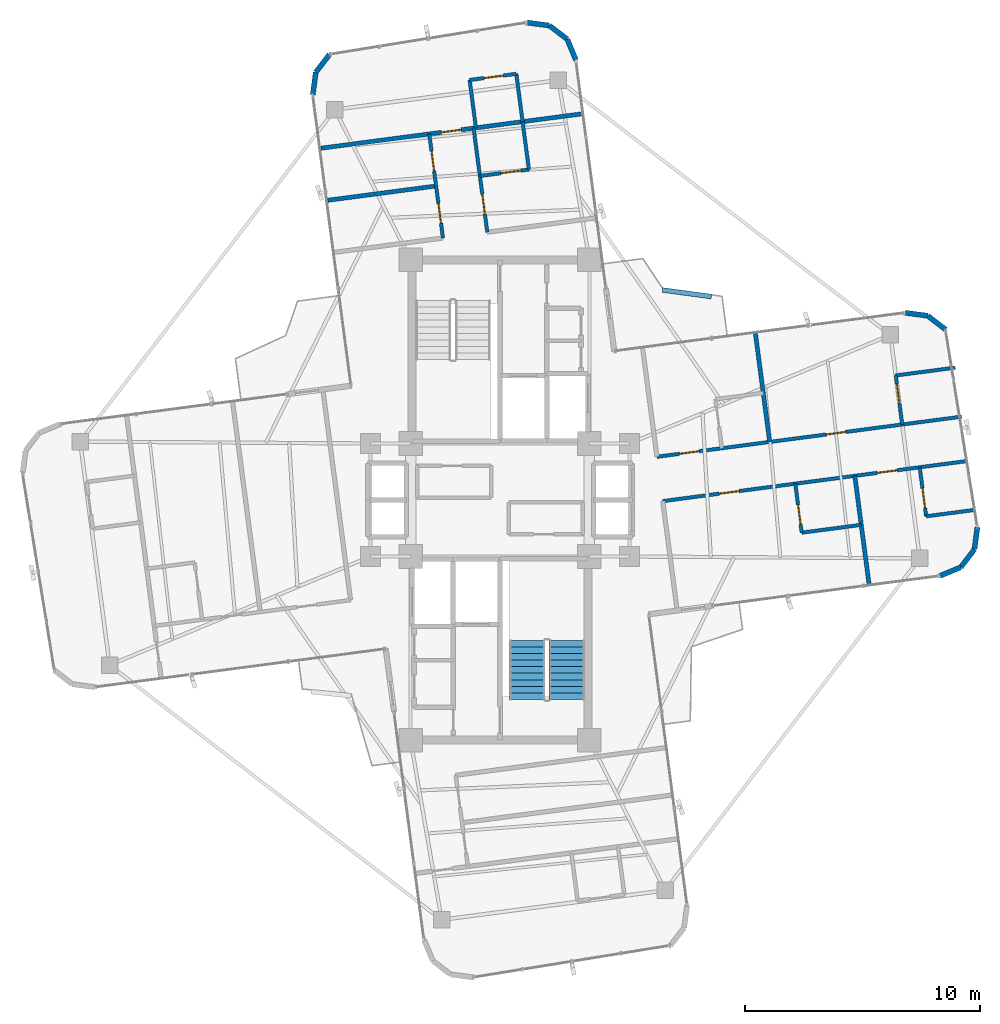
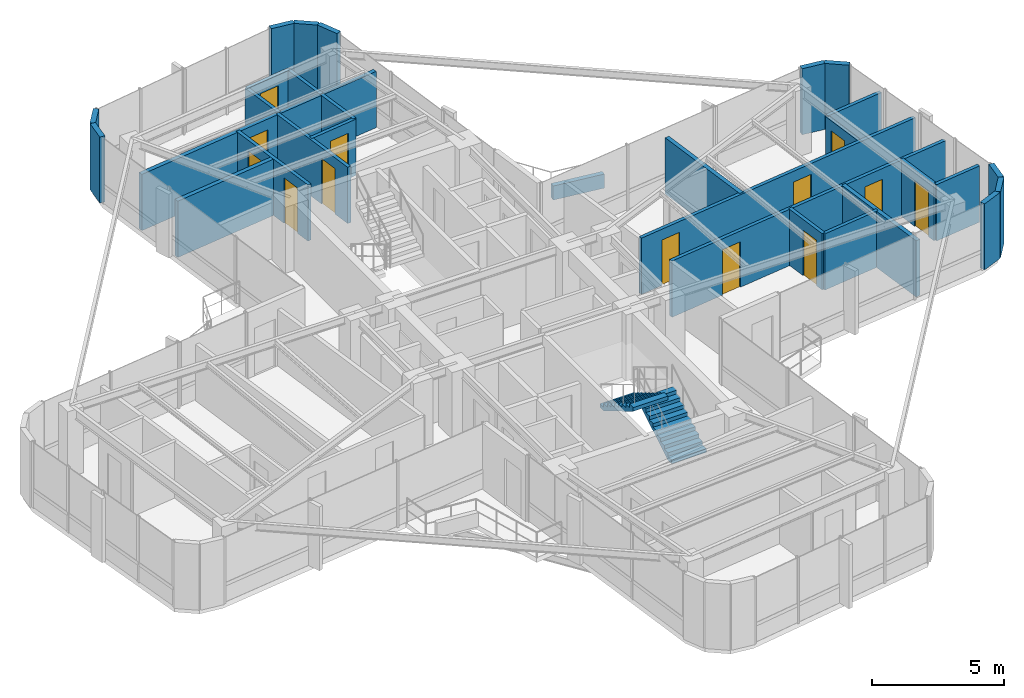
# One storey, part 21 of 23: 30 walls, 13 doors, 2 stair flights, 13 openings, 1 element without a shape of its own.
"""IFC4 building model written with IfcOpenShell, lengths in metres."""

from ifc_helpers import new_model, si_unit, direction, frame, frame_2d, origin, origin_2d, place, context, subcontext, project, spatial, polyline, rectangle, outline, extrude, source, transform, mapped, material, layer, layer_set, type_object, element, fill, aggregate, save


model = new_model("IFC4")

# Units and contexts
model_context = context("Model", 3, precision=1e-05, world=origin(), true_north=direction((0.0, 1.0)))
body_context = subcontext(model_context, "Body", "Model", "MODEL_VIEW")
ifc_project = project(units=[si_unit("LENGTHUNIT", "METRE"), si_unit("AREAUNIT", "SQUARE_METRE"), si_unit("VOLUMEUNIT", "CUBIC_METRE"), si_unit("PLANEANGLEUNIT", "RADIAN"), si_unit("MASSUNIT", "GRAM", prefix="KILO")], contexts=[model_context])

# Site, building, storey
site_placement = place(None, origin())
site = spatial("IfcSite", under=ifc_project, at=site_placement, CompositionType="ELEMENT")
building_placement = place(site_placement, origin())
building = spatial("IfcBuilding", under=site, at=building_placement, Name="Sahyath Konkavel Grand Hotel", CompositionType="ELEMENT")
storey_placement = place(building_placement, frame((0.0, 0.0, 226.60009765625)))
storey = spatial("IfcBuildingStorey", under=building, at=storey_placement, Name="L63", CompositionType="ELEMENT", Elevation=226.60009765625)

# Walls
ifc_material_1 = material(Name="Warm Buff Sandstone Insulated Concrete C40/50", Category="masonry")
ifc_layer_1 = layer(ifc_material_1, 0.219970703125)
ifc_layer_set_1 = layer_set([ifc_layer_1], Name="Warm Buff Sandstone Insulated Concrete C40/50")
wall_type_1 = type_object("IfcWallType", Name="WLL-BALC-THRESH", PredefinedType="STANDARD", material=ifc_layer_set_1)
wall_1_placement = place(storey_placement, frame((18.69091796875, -3.225830078125, 0.0), z_axis=(0.0, 0.0, 1.0), x_axis=(0.923979554509, 0.382441868588, 0.0)))
element("IfcWall", 1, at=wall_1_placement, inside=storey, type_object=wall_type_1, Name="L63 Rounded Corner Sandstone Pier 1", PredefinedType="STANDARD", context=body_context, shape_type="SweptSolid", body=[
    extrude(rectangle(XDim=0.95751953125, YDim=0.219970703125, at=frame_2d((0.478759765625, 0.0))), origin(), (0.0, 0.0, 1.0), 3.0498046875),
])
wall_2_placement = place(storey_placement, frame((19.57568359375, -2.859619140625, 0.0), z_axis=(0.0, 0.0, 1.0), x_axis=(0.60865090536, 0.79343813584, 0.0)))
element("IfcWall", 2, at=wall_2_placement, inside=storey, type_object=wall_type_1, Name="L63 Rounded Corner Sandstone Pier 2", PredefinedType="STANDARD", context=body_context, shape_type="SweptSolid", body=[
    extrude(rectangle(XDim=0.957763671875, YDim=0.219970703125, at=frame_2d((0.47900390625, 0.0))), origin(), (0.0, 0.0, 1.0), 3.0498046875),
])
for number, where, z_axis, x_axis, name in (
    (3, (20.15869140625, -2.099609375, 0.0), (0.0, 0.0, 1.0), (0.13056005306, 0.991440402921, 0.0), "L63 Rounded Corner Sandstone Pier 3"),
    (4, (18.92822265625, 7.24560546875, 0.0), (0.0, 0.0, 1.0), (-0.793249178392, 0.608897151398, 0.0), "L63 Rounded Corner Sandstone Pier 5"),
):
    element("IfcWall", number, at=place(storey_placement, frame(where, z_axis=z_axis, x_axis=x_axis)), inside=storey, type_object=wall_type_1, Name=name, PredefinedType="STANDARD", context=body_context, shape_type="SweptSolid", body=[
        extrude(rectangle(XDim=0.95751953125, YDim=0.219970703125, at=frame_2d((0.478759765625, 0.0))), origin(), (0.0, 0.0, 1.0), 3.0498046875),
    ])
wall_3_placement = place(storey_placement, frame((18.168701171875, 7.82861328125, 0.0), z_axis=(0.0, 0.0, 1.0), x_axis=(-0.991444747987, 0.130527053476, 0.0)))
element("IfcWall", 5, at=wall_3_placement, inside=storey, type_object=wall_type_1, Name="L63 Rounded Corner Sandstone Pier 6", PredefinedType="STANDARD", context=body_context, shape_type="SweptSolid", body=[
    extrude(rectangle(XDim=0.957763671875, YDim=0.219970703125, at=frame_2d((0.47900390625, 0.0))), origin(), (0.0, 0.0, 1.0), 3.0498046875),
])
wall_4_placement = place(storey_placement, frame((3.225830078125, 18.69091796875, 0.0), z_axis=(0.0, 0.0, 1.0), x_axis=(-0.382441868588, 0.923979554509, 0.0)))
element("IfcWall", 6, at=wall_4_placement, inside=storey, type_object=wall_type_1, Name="L63 Rounded Corner Sandstone Pier 9", PredefinedType="STANDARD", context=body_context, shape_type="SweptSolid", body=[
    extrude(rectangle(XDim=0.95751953125, YDim=0.219970703125, at=frame_2d((0.478759765625, 0.0))), origin(), (0.0, 0.0, 1.0), 3.0498046875),
])
wall_5_placement = place(storey_placement, frame((2.859619140625, 19.57568359375, 0.0), z_axis=(0.0, 0.0, 1.0), x_axis=(-0.79343813584, 0.60865090536, 0.0)))
element("IfcWall", 7, at=wall_5_placement, inside=storey, type_object=wall_type_1, Name="L63 Rounded Corner Sandstone Pier 10", PredefinedType="STANDARD", context=body_context, shape_type="SweptSolid", body=[
    extrude(rectangle(XDim=0.957763671875, YDim=0.219970703125, at=frame_2d((0.47900390625, 0.0))), origin(), (0.0, 0.0, 1.0), 3.0498046875),
])
for number, where, z_axis, x_axis, name in (
    (8, (2.099609375, 20.15869140625, 0.0), (0.0, 0.0, 1.0), (-0.991440402921, 0.13056005306, 0.0), "L63 Rounded Corner Sandstone Pier 11"),
    (9, (-7.24560546875, 18.92822265625, 0.0), (0.0, 0.0, 1.0), (-0.608897151398, -0.793249178392, 0.0), "L63 Rounded Corner Sandstone Pier 13"),
):
    element("IfcWall", number, at=place(storey_placement, frame(where, z_axis=z_axis, x_axis=x_axis)), inside=storey, type_object=wall_type_1, Name=name, PredefinedType="STANDARD", context=body_context, shape_type="SweptSolid", body=[
        extrude(rectangle(XDim=0.95751953125, YDim=0.219970703125, at=frame_2d((0.478759765625, 0.0))), origin(), (0.0, 0.0, 1.0), 3.0498046875),
    ])
wall_6_placement = place(storey_placement, frame((-7.82861328125, 18.168701171875, 0.0), z_axis=(0.0, 0.0, 1.0), x_axis=(-0.130527053476, -0.991444747987, 0.0)))
element("IfcWall", 10, at=wall_6_placement, inside=storey, type_object=wall_type_1, Name="L63 Rounded Corner Sandstone Pier 14", PredefinedType="STANDARD", context=body_context, shape_type="SweptSolid", body=[
    extrude(rectangle(XDim=0.957763671875, YDim=0.219970703125, at=frame_2d((0.47900390625, 0.0))), origin(), (0.0, 0.0, 1.0), 3.0498046875),
])
ifc_material_2 = material(Name="Twin-Stud Acoustic Gypsum Plasterboard Partition")
ifc_layer_2 = layer(ifc_material_2, 0.179931640625)
ifc_layer_set_2 = layer_set([ifc_layer_2], Name="Twin-Stud Acoustic Gypsum Plasterboard Partition")
wall_type_2 = type_object("IfcWallType", Name="WLL-DEMISE-180", PredefinedType="PARTITIONING", material=ifc_layer_set_2)
wall_7_placement = place(storey_placement, frame((11.4580078125, 2.466796875, 0.0), z_axis=(0.0, 0.0, 1.0), x_axis=(-0.130498087646, 0.991448561006, 0.0)))
element("IfcWall", 11, at=wall_7_placement, inside=storey, type_object=wall_type_2, Name="L63 Partition E-E1L-DEM", PredefinedType="PARTITIONING", context=body_context, shape_type="SweptSolid", body=[
    extrude(rectangle(XDim=4.6376953125, YDim=0.179931640625, at=frame_2d((2.31884765625, 0.0))), origin(), (0.0, 0.0, 1.0), 2.599853515625),
])
wall_8_placement = place(storey_placement, frame((15.072998046875, 1.026123046875, 0.0), z_axis=(0.0, 0.0, 1.0), x_axis=(0.130549832066, -0.991441748842, 0.0)))
element("IfcWall", 12, at=wall_8_placement, inside=storey, type_object=wall_type_2, Name="L63 Partition E-E1R-DEM", PredefinedType="PARTITIONING", context=body_context, shape_type="SweptSolid", body=[
    extrude(rectangle(XDim=4.637939453125, YDim=0.179931640625, at=frame_2d((2.31884765625, 0.0))), origin(), (0.0, 0.0, 1.0), 2.599853515625),
])
wall_9_placement = place(storey_placement, frame((-2.71435546875, 13.33984375, 0.0), z_axis=(0.0, 0.0, 1.0), x_axis=(-0.991442645947, -0.130543018951, 0.0)))
element("IfcWall", 13, at=wall_9_placement, inside=storey, type_object=wall_type_2, Name="L63 Partition N-N4L1-DEM", PredefinedType="PARTITIONING", context=body_context, shape_type="SweptSolid", body=[
    extrude(rectangle(XDim=4.63818359375, YDim=0.179931640625, at=frame_2d((2.319091796875, 0.0))), origin(), (0.0, 0.0, 1.0), 2.599853515625),
])

# Wall, opening, door
wall_10_placement = place(storey_placement, frame((3.4765625, 16.404052734375, 0.0), z_axis=(0.0, 0.0, 1.0), x_axis=(-0.991444998773, -0.130525148566, 0.0)))
wall_10 = element("IfcWall", 14, at=wall_10_placement, inside=storey, type_object=wall_type_2, Name="L63 Partition N-NTIP-END", PredefinedType="PARTITIONING", context=body_context, shape_type="SweptSolid", body=[
    extrude(rectangle(XDim=11.176025390625, YDim=0.179931640625, at=frame_2d((5.587890625, 0.0))), origin(), (0.0, 0.0, 1.0), 2.599853515625),
])
opening_1_placement = place(wall_10_placement, frame((5.1630859375, 0.0, 0.0)))
opening_1 = element("IfcOpeningElement", 15, at=opening_1_placement, cuts=wall_10, Name="Opening D-F06D", PredefinedType="OPENING", context=body_context, shape_type="SweptSolid", body=[
    extrude(rectangle(XDim=0.85009765625, YDim=2.10009765625, at=frame_2d((0.425048828125, 1.050048828125))), frame((0.0, 0.10009765625, 0.0), z_axis=(0.0, -1.0, 0.0), x_axis=(1.0, 0.0, 0.0)), (0.0, 0.0, 1.0), 0.199951171875),
])
ifc_material_3 = material(Name="Fire-Rated Shaft Access Door")
door_type_1 = type_object("IfcDoorType", Name="DR-FD60-850", OperationType="NOTDEFINED", PredefinedType="DOOR", material=ifc_material_3)
shared_shape = source(origin(), body_context, "Body", "SweptSolid", [
    extrude(rectangle(XDim=0.85009765625, YDim=0.050048828125, at=origin_2d()), origin(), (0.0, 0.0, 1.0), 2.10009765625),
])
door_1_placement = place(opening_1_placement, frame((0.425048828125, 0.0, 0.0)))
door_1 = element("IfcDoor", 16, at=door_1_placement, inside=storey, type_object=door_type_1, Name="L63 Door N-NTIP-ED", OperationType="SINGLE_SWING_RIGHT", OverallHeight=2.10009765625, OverallWidth=0.85009765625, PredefinedType="DOOR", context=body_context, shape_type="MappedRepresentation", body=[
    mapped(shared_shape, transform((0.0, 0.0, 0.0), scale=1.0)),
])
fill(opening_1, door_1)

# Wall, openings, doors
ifc_material_4 = material(Name="Fire-Rated Gypsum Plasterboard Partition")
ifc_layer_3 = layer(ifc_material_4, 0.14990234375)
ifc_layer_set_3 = layer_set([ifc_layer_3], Name="Fire-Rated Gypsum Plasterboard Partition")
wall_type_3 = type_object("IfcWallType", Name="WLL-PART-150", PredefinedType="PARTITIONING", material=ifc_layer_set_3)
wall_11_placement = place(storey_placement, frame((6.66748046875, 1.8359375, 0.0), z_axis=(0.0, 0.0, 1.0), x_axis=(0.991445639992, 0.130520277895, 0.0)))
wall_11 = element("IfcWall", 17, at=wall_11_placement, inside=storey, type_object=wall_type_3, Name="L63 Partition E-CL", PredefinedType="PARTITIONING", context=body_context, shape_type="SweptSolid", body=[
    extrude(rectangle(XDim=13.06005859375, YDim=0.14990234375, at=frame_2d((6.530029296875, 0.0))), origin(), (0.0, 0.0, 1.0), 2.599853515625),
])
opening_2_placement = place(wall_11_placement, frame((0.966064453125, 0.0, 0.0)))
opening_2 = element("IfcOpeningElement", 18, at=opening_2_placement, cuts=wall_11, Name="Opening D-F06D", PredefinedType="OPENING", context=body_context, shape_type="SweptSolid", body=[
    extrude(rectangle(XDim=0.85009765625, YDim=2.10009765625, at=frame_2d((0.425048828125, 1.050048828125))), frame((0.0, 0.0849609375, 0.0), z_axis=(0.0, -1.0, 0.0), x_axis=(1.0, 0.0, 0.0)), (0.0, 0.0, 1.0), 0.169921875),
])
opening_3_placement = place(wall_11_placement, frame((7.24609375, 0.0, 0.0)))
opening_3 = element("IfcOpeningElement", 19, at=opening_3_placement, cuts=wall_11, Name="Opening D-F06D", PredefinedType="OPENING", context=body_context, shape_type="SweptSolid", body=[
    extrude(rectangle(XDim=0.85009765625, YDim=2.10009765625, at=frame_2d((0.425048828125, 1.050048828125))), frame((0.0, 0.0849609375, 0.0), z_axis=(0.0, -1.0, 0.0), x_axis=(1.0, 0.0, 0.0)), (0.0, 0.0, 1.0), 0.169921875),
])
door_2_placement = place(opening_2_placement, frame((0.425048828125, 0.0, 0.0)))
door_2 = element("IfcDoor", 20, at=door_2_placement, inside=storey, type_object=door_type_1, Name="L63 Door E-E1L-ED", OperationType="SINGLE_SWING_RIGHT", OverallHeight=2.10009765625, OverallWidth=0.85009765625, PredefinedType="DOOR", context=body_context, shape_type="MappedRepresentation", body=[
    mapped(shared_shape, transform((0.0, 0.0, 0.0), scale=1.0)),
])
fill(opening_2, door_2)
door_3_placement = place(opening_3_placement, frame((0.425048828125, 0.0, 0.0)))
door_3 = element("IfcDoor", 21, at=door_3_placement, inside=storey, type_object=door_type_1, Name="L63 Door E-E2L-ED", OperationType="SINGLE_SWING_RIGHT", OverallHeight=2.10009765625, OverallWidth=0.85009765625, PredefinedType="DOOR", context=body_context, shape_type="MappedRepresentation", body=[
    mapped(shared_shape, transform((0.0, 0.0, 0.0), scale=1.0)),
])
fill(opening_3, door_3)

wall_12_placement = place(storey_placement, frame((6.915283203125, -0.0478515625, 0.0), z_axis=(0.0, 0.0, 1.0), x_axis=(0.991443539316, 0.130536233856, 0.0)))
wall_12 = element("IfcWall", 22, at=wall_12_placement, inside=storey, type_object=wall_type_3, Name="L63 Partition E-CR", PredefinedType="PARTITIONING", context=body_context, shape_type="SweptSolid", body=[
    extrude(rectangle(XDim=13.060302734375, YDim=0.14990234375, at=frame_2d((6.5302734375, 0.0))), origin(), (0.0, 0.0, 1.0), 2.599853515625),
])
opening_4_placement = place(wall_12_placement, frame((2.4140625, 0.0, 0.0)))
opening_4 = element("IfcOpeningElement", 23, at=opening_4_placement, cuts=wall_12, Name="Opening D-F06D", PredefinedType="OPENING", context=body_context, shape_type="SweptSolid", body=[
    extrude(rectangle(XDim=0.85009765625, YDim=2.10009765625, at=frame_2d((0.425048828125, 1.050048828125))), frame((0.0, 0.0849609375, 0.0), z_axis=(0.0, -1.0, 0.0), x_axis=(1.0, 0.0, 0.0)), (0.0, 0.0, 1.0), 0.169921875),
])
opening_5_placement = place(wall_12_placement, frame((9.194091796875, 0.0, 0.0)))
opening_5 = element("IfcOpeningElement", 24, at=opening_5_placement, cuts=wall_12, Name="Opening D-F06D", PredefinedType="OPENING", context=body_context, shape_type="SweptSolid", body=[
    extrude(rectangle(XDim=0.85009765625, YDim=2.10009765625, at=frame_2d((0.425048828125, 1.050048828125))), frame((0.0, 0.0849609375, 0.0), z_axis=(0.0, -1.0, 0.0), x_axis=(1.0, 0.0, 0.0)), (0.0, 0.0, 1.0), 0.169921875),
])
door_4_placement = place(opening_4_placement, frame((0.425048828125, 0.0, 0.0)))
door_4 = element("IfcDoor", 25, at=door_4_placement, inside=storey, type_object=door_type_1, Name="L63 Door E-E1R-ED", OperationType="SINGLE_SWING_RIGHT", OverallHeight=2.10009765625, OverallWidth=0.85009765625, PredefinedType="DOOR", context=body_context, shape_type="MappedRepresentation", body=[
    mapped(shared_shape, transform((0.0, 0.0, 0.0), scale=1.0)),
])
fill(opening_4, door_4)
door_5_placement = place(opening_5_placement, frame((0.425048828125, 0.0, 0.0)))
door_5 = element("IfcDoor", 26, at=door_5_placement, inside=storey, type_object=door_type_1, Name="L63 Door E-E2R-ED", OperationType="SINGLE_SWING_RIGHT", OverallHeight=2.10009765625, OverallWidth=0.85009765625, PredefinedType="DOOR", context=body_context, shape_type="MappedRepresentation", body=[
    mapped(shared_shape, transform((0.0, 0.0, 0.0), scale=1.0)),
])
fill(opening_5, door_5)

# Wall, opening, door
wall_13_placement = place(storey_placement, frame((17.08740234375, 3.207763671875, 0.0), z_axis=(0.0, 0.0, 1.0), x_axis=(-0.13044248305, 0.9914558783, 0.0)))
wall_13 = element("IfcWall", 27, at=wall_13_placement, inside=storey, type_object=wall_type_3, Name="L63 Partition E-E2L-BS", PredefinedType="PARTITIONING", context=body_context, shape_type="SweptSolid", body=[
    extrude(rectangle(XDim=2.099853515625, YDim=0.14990234375, at=frame_2d((1.0498046875, 0.0))), origin(), (0.0, 0.0, 1.0), 2.56982421875),
])
opening_6_placement = place(wall_13_placement, frame((0.89990234375, 0.0, 0.0)))
opening_6 = element("IfcOpeningElement", 28, at=opening_6_placement, cuts=wall_13, Name="Opening D-BT85", PredefinedType="OPENING", context=body_context, shape_type="SweptSolid", body=[
    extrude(rectangle(XDim=0.85009765625, YDim=2.10009765625, at=frame_2d((0.425048828125, 1.050048828125))), frame((0.0, 0.0849609375, 0.0), z_axis=(0.0, -1.0, 0.0), x_axis=(1.0, 0.0, 0.0)), (0.0, 0.0, 1.0), 0.169921875),
])
ifc_material_5 = material(Name="Moisture-Resistant Teak Bathroom Door")
door_type_2 = type_object("IfcDoorType", Name="DR-BATH-850", OperationType="NOTDEFINED", PredefinedType="DOOR", material=ifc_material_5)
door_6_placement = place(opening_6_placement, frame((0.425048828125, 0.0, 0.0)))
door_6 = element("IfcDoor", 29, at=door_6_placement, inside=storey, type_object=door_type_2, Name="L63 Door E-E2L-BD", OperationType="SINGLE_SWING_LEFT", OverallHeight=2.10009765625, OverallWidth=0.85009765625, PredefinedType="DOOR", context=body_context, shape_type="MappedRepresentation", body=[
    mapped(shared_shape, transform((0.0, 0.0, 0.0), scale=1.0)),
])
fill(opening_6, door_6)

# Wall
wall_14_placement = place(storey_placement, frame((16.8134765625, 5.289794921875, 0.0), z_axis=(0.0, 0.0, 1.0), x_axis=(0.99143571012, 0.130595684076, 0.0)))
element("IfcWall", 30, at=wall_14_placement, inside=storey, type_object=wall_type_3, Name="L63 Partition E-E2L-BF", PredefinedType="PARTITIONING", context=body_context, shape_type="SweptSolid", body=[
    extrude(rectangle(XDim=2.5498046875, YDim=0.14990234375, at=frame_2d((1.27490234375, 0.0))), origin(), (0.0, 0.0, 1.0), 2.599853515625),
])

# Wall, opening, door
wall_15_placement = place(storey_placement, frame((12.544921875, 0.693359375, 0.0), z_axis=(0.0, 0.0, 1.0), x_axis=(0.13044248305, -0.9914558783, 0.0)))
wall_15 = element("IfcWall", 31, at=wall_15_placement, inside=storey, type_object=wall_type_3, Name="L63 Partition E-E1R-BS", PredefinedType="PARTITIONING", context=body_context, shape_type="SweptSolid", body=[
    extrude(rectangle(XDim=2.099853515625, YDim=0.14990234375, at=frame_2d((1.0498046875, 0.0))), origin(), (0.0, 0.0, 1.0), 2.599853515625),
])
opening_7_placement = place(wall_15_placement, frame((0.89990234375, 0.0, 0.0)))
opening_7 = element("IfcOpeningElement", 32, at=opening_7_placement, cuts=wall_15, Name="Opening D-BT85", PredefinedType="OPENING", context=body_context, shape_type="SweptSolid", body=[
    extrude(rectangle(XDim=0.85009765625, YDim=2.10009765625, at=frame_2d((0.425048828125, 1.050048828125))), frame((0.0, 0.0849609375, 0.0), z_axis=(0.0, -1.0, 0.0), x_axis=(1.0, 0.0, 0.0)), (0.0, 0.0, 1.0), 0.169921875),
])
door_7_placement = place(opening_7_placement, frame((0.425048828125, 0.0, 0.0)))
door_7 = element("IfcDoor", 33, at=door_7_placement, inside=storey, type_object=door_type_2, Name="L63 Door E-E1R-BD", OperationType="SINGLE_SWING_LEFT", OverallHeight=2.10009765625, OverallWidth=0.85009765625, PredefinedType="DOOR", context=body_context, shape_type="MappedRepresentation", body=[
    mapped(shared_shape, transform((0.0, 0.0, 0.0), scale=1.0)),
])
fill(opening_7, door_7)

# Wall
wall_16_placement = place(storey_placement, frame((12.81884765625, -1.388671875, 0.0), z_axis=(0.0, 0.0, 1.0), x_axis=(0.99144973294, 0.130489183661, 0.0)))
element("IfcWall", 34, at=wall_16_placement, inside=storey, type_object=wall_type_3, Name="L63 Partition E-E1R-BF", PredefinedType="PARTITIONING", context=body_context, shape_type="SweptSolid", body=[
    extrude(rectangle(XDim=2.550048828125, YDim=0.14990234375, at=frame_2d((1.27490234375, 0.0))), origin(), (0.0, 0.0, 1.0), 2.599853515625),
])

# Wall, opening, door
wall_17_placement = place(storey_placement, frame((17.831298828125, 1.389404296875, 0.0), z_axis=(0.0, 0.0, 1.0), x_axis=(0.13044248305, -0.9914558783, 0.0)))
wall_17 = element("IfcWall", 35, at=wall_17_placement, inside=storey, type_object=wall_type_3, Name="L63 Partition E-E2R-BS", PredefinedType="PARTITIONING", context=body_context, shape_type="SweptSolid", body=[
    extrude(rectangle(XDim=2.099853515625, YDim=0.14990234375, at=frame_2d((1.0498046875, 0.0))), origin(), (0.0, 0.0, 1.0), 2.599853515625),
])
opening_8_placement = place(wall_17_placement, frame((0.89990234375, 0.0, 0.0)))
opening_8 = element("IfcOpeningElement", 36, at=opening_8_placement, cuts=wall_17, Name="Opening D-BT85", PredefinedType="OPENING", context=body_context, shape_type="SweptSolid", body=[
    extrude(rectangle(XDim=0.85009765625, YDim=2.10009765625, at=frame_2d((0.425048828125, 1.050048828125))), frame((0.0, 0.0849609375, 0.0), z_axis=(0.0, -1.0, 0.0), x_axis=(1.0, 0.0, 0.0)), (0.0, 0.0, 1.0), 0.169921875),
])
door_8_placement = place(opening_8_placement, frame((0.425048828125, 0.0, 0.0)))
door_8 = element("IfcDoor", 37, at=door_8_placement, inside=storey, type_object=door_type_2, Name="L63 Door E-E2R-BD", OperationType="SINGLE_SWING_LEFT", OverallHeight=2.10009765625, OverallWidth=0.85009765625, PredefinedType="DOOR", context=body_context, shape_type="MappedRepresentation", body=[
    mapped(shared_shape, transform((0.0, 0.0, 0.0), scale=1.0)),
])
fill(opening_8, door_8)

# Wall
wall_18_placement = place(storey_placement, frame((18.105224609375, -0.692626953125, 0.0), z_axis=(0.0, 0.0, 1.0), x_axis=(0.991444969909, 0.13052536781, 0.0)))
element("IfcWall", 38, at=wall_18_placement, inside=storey, type_object=wall_type_3, Name="L63 Partition E-E2R-BF", PredefinedType="PARTITIONING", context=body_context, shape_type="SweptSolid", body=[
    extrude(rectangle(XDim=2.050048828125, YDim=0.14990234375, at=frame_2d((1.02490234375, 0.0))), origin(), (0.0, 0.0, 1.0), 2.599853515625),
])

# Wall, openings, doors
wall_19_placement = place(storey_placement, frame((-2.42333984375, 11.12890625, 0.0), z_axis=(0.0, 0.0, 1.0), x_axis=(-0.130553631719, 0.991441248509, 0.0)))
wall_19 = element("IfcWall", 39, at=wall_19_placement, inside=storey, type_object=wall_type_3, Name="L63 Partition N-CL", PredefinedType="PARTITIONING", context=body_context, shape_type="SweptSolid", body=[
    extrude(rectangle(XDim=4.4599609375, YDim=0.14990234375, at=frame_2d((2.22998046875, 0.0))), origin(), (0.0, 0.0, 1.0), 2.599853515625),
])
opening_9_placement = place(wall_19_placement, frame((0.639892578125, 0.0, 0.0)))
opening_9 = element("IfcOpeningElement", 40, at=opening_9_placement, cuts=wall_19, Name="Opening D-F06D", PredefinedType="OPENING", context=body_context, shape_type="SweptSolid", body=[
    extrude(rectangle(XDim=0.85009765625, YDim=2.10009765625, at=frame_2d((0.425048828125, 1.050048828125))), frame((0.0, 0.0849609375, 0.0), z_axis=(0.0, -1.0, 0.0), x_axis=(1.0, 0.0, 0.0)), (0.0, 0.0, 1.0), 0.169921875),
])
opening_10_placement = place(wall_19_placement, frame((2.8701171875, 0.0, 0.0)))
opening_10 = element("IfcOpeningElement", 41, at=opening_10_placement, cuts=wall_19, Name="Opening D-F06D", PredefinedType="OPENING", context=body_context, shape_type="SweptSolid", body=[
    extrude(rectangle(XDim=0.85009765625, YDim=2.10009765625, at=frame_2d((0.425048828125, 1.050048828125))), frame((0.0, 0.0849609375, 0.0), z_axis=(0.0, -1.0, 0.0), x_axis=(1.0, 0.0, 0.0)), (0.0, 0.0, 1.0), 0.169921875),
])
door_9_placement = place(opening_9_placement, frame((0.425048828125, 0.0, 0.0)))
door_9 = element("IfcDoor", 42, at=door_9_placement, inside=storey, type_object=door_type_1, Name="L63 Door N-N4L1-D", OperationType="SINGLE_SWING_LEFT", OverallHeight=2.10009765625, OverallWidth=0.85009765625, PredefinedType="DOOR", context=body_context, shape_type="MappedRepresentation", body=[
    mapped(shared_shape, transform((0.0, 0.0, 0.0), scale=1.0)),
])
fill(opening_9, door_9)
door_10_placement = place(opening_10_placement, frame((0.425048828125, 0.0, 0.0)))
door_10 = element("IfcDoor", 43, at=door_10_placement, inside=storey, type_object=door_type_1, Name="L63 Door N-N4L2-D", OperationType="SINGLE_SWING_RIGHT", OverallHeight=2.10009765625, OverallWidth=0.85009765625, PredefinedType="DOOR", context=body_context, shape_type="MappedRepresentation", body=[
    mapped(shared_shape, transform((0.0, 0.0, 0.0), scale=1.0)),
])
fill(opening_10, door_10)

# Wall, opening, door
wall_20_placement = place(storey_placement, frame((-0.53955078125, 11.376953125, 0.0), z_axis=(0.0, 0.0, 1.0), x_axis=(-0.130506907501, 0.991447400064, 0.0)))
wall_20 = element("IfcWall", 44, at=wall_20_placement, inside=storey, type_object=wall_type_3, Name="L63 Partition N-CR", PredefinedType="PARTITIONING", context=body_context, shape_type="SweptSolid", body=[
    extrude(rectangle(XDim=4.459716796875, YDim=0.14990234375, at=frame_2d((2.22998046875, 0.0))), origin(), (0.0, 0.0, 1.0), 2.599853515625),
])
opening_11_placement = place(wall_20_placement, frame((0.780029296875, 0.0, 0.0)))
opening_11 = element("IfcOpeningElement", 45, at=opening_11_placement, cuts=wall_20, Name="Opening D-F06D", PredefinedType="OPENING", context=body_context, shape_type="SweptSolid", body=[
    extrude(rectangle(XDim=0.85009765625, YDim=2.10009765625, at=frame_2d((0.425048828125, 1.050048828125))), frame((0.0, 0.0849609375, 0.0), z_axis=(0.0, -1.0, 0.0), x_axis=(1.0, 0.0, 0.0)), (0.0, 0.0, 1.0), 0.169921875),
])
door_11_placement = place(opening_11_placement, frame((0.425048828125, 0.0, 0.0)))
door_11 = element("IfcDoor", 46, at=door_11_placement, inside=storey, type_object=door_type_1, Name="L63 Door N-N4R1-ED", OperationType="SINGLE_SWING_RIGHT", OverallHeight=2.10009765625, OverallWidth=0.85009765625, PredefinedType="DOOR", context=body_context, shape_type="MappedRepresentation", body=[
    mapped(shared_shape, transform((0.0, 0.0, 0.0), scale=1.0)),
])
fill(opening_11, door_11)

wall_21_placement = place(storey_placement, frame((-0.854248046875, 13.766357421875, 0.0), z_axis=(0.0, 0.0, 1.0), x_axis=(0.9914558783, 0.13044248305, 0.0)))
wall_21 = element("IfcWall", 47, at=wall_21_placement, inside=storey, type_object=wall_type_3, Name="L63 Partition N-N4R1-BS", PredefinedType="PARTITIONING", context=body_context, shape_type="SweptSolid", body=[
    extrude(rectangle(XDim=2.099853515625, YDim=0.14990234375, at=frame_2d((1.0498046875, 0.0))), origin(), (0.0, 0.0, 1.0), 2.599853515625),
])
opening_12_placement = place(wall_21_placement, frame((0.89990234375, 0.0, 0.0)))
opening_12 = element("IfcOpeningElement", 48, at=opening_12_placement, cuts=wall_21, Name="Opening D-BT85", PredefinedType="OPENING", context=body_context, shape_type="SweptSolid", body=[
    extrude(rectangle(XDim=0.85009765625, YDim=2.10009765625, at=frame_2d((0.425048828125, 1.050048828125))), frame((0.0, 0.0849609375, 0.0), z_axis=(0.0, -1.0, 0.0), x_axis=(1.0, 0.0, 0.0)), (0.0, 0.0, 1.0), 0.169921875),
])
door_12_placement = place(opening_12_placement, frame((0.425048828125, 0.0, 0.0)))
door_12 = element("IfcDoor", 49, at=door_12_placement, inside=storey, type_object=door_type_2, Name="L63 Door N-N4R1-BD", OperationType="SINGLE_SWING_LEFT", OverallHeight=2.10009765625, OverallWidth=0.85009765625, PredefinedType="DOOR", context=body_context, shape_type="MappedRepresentation", body=[
    mapped(shared_shape, transform((0.0, 0.0, 0.0), scale=1.0)),
])
fill(opening_12, door_12)

# Walls
for number, where, z_axis, x_axis, name in (
    (50, (1.227783203125, 14.040283203125, 0.0), (0.0, 0.0, 1.0), (-0.13052536781, 0.991444969909, 0.0), "L63 Partition N-N4R1-BF"),
    (51, (-1.022705078125, 15.811767578125, 0.0), (0.0, 0.0, 1.0), (-0.13052536781, 0.991444969909, 0.0), "L63 Partition N-NTIP-BN"),
    (52, (0.960205078125, 16.07275390625, 0.0), (0.0, 0.0, 1.0), (-0.13052536781, 0.991444969909, 0.0), "L63 Partition N-NTIP-BS"),
):
    element("IfcWall", number, at=place(storey_placement, frame(where, z_axis=z_axis, x_axis=x_axis)), inside=storey, type_object=wall_type_3, Name=name, PredefinedType="PARTITIONING", context=body_context, shape_type="SweptSolid", body=[
        extrude(rectangle(XDim=2.050048828125, YDim=0.14990234375, at=frame_2d((1.02490234375, 0.0))), origin(), (0.0, 0.0, 1.0), 2.599853515625),
    ])

# Wall, opening, door
wall_22_placement = place(storey_placement, frame((0.692626953125, 18.105224609375, 0.0), z_axis=(0.0, 0.0, 1.0), x_axis=(-0.991449308994, -0.130492404742, 0.0)))
wall_22 = element("IfcWall", 53, at=wall_22_placement, inside=storey, type_object=wall_type_3, Name="L63 Partition N-NTIP-BE", PredefinedType="PARTITIONING", context=body_context, shape_type="SweptSolid", body=[
    extrude(rectangle(XDim=2.0, YDim=0.14990234375, at=frame_2d((1.0, 0.0))), origin(), (0.0, 0.0, 1.0), 2.599853515625),
])
opening_13_placement = place(wall_22_placement, frame((0.550048828125, 0.0, 0.0)))
opening_13 = element("IfcOpeningElement", 54, at=opening_13_placement, cuts=wall_22, Name="Opening D-BT85", PredefinedType="OPENING", context=body_context, shape_type="SweptSolid", body=[
    extrude(rectangle(XDim=0.85009765625, YDim=2.10009765625, at=frame_2d((0.425048828125, 1.050048828125))), frame((0.0, 0.0849609375, 0.0), z_axis=(0.0, -1.0, 0.0), x_axis=(1.0, 0.0, 0.0)), (0.0, 0.0, 1.0), 0.169921875),
])
door_13_placement = place(opening_13_placement, frame((0.425048828125, 0.0, 0.0)))
door_13 = element("IfcDoor", 55, at=door_13_placement, inside=storey, type_object=door_type_2, Name="L63 Door N-NTIP-BD", OperationType="SINGLE_SWING_LEFT", OverallHeight=2.10009765625, OverallWidth=0.85009765625, PredefinedType="DOOR", context=body_context, shape_type="MappedRepresentation", body=[
    mapped(shared_shape, transform((0.0, 0.0, 0.0), scale=1.0)),
])
fill(opening_13, door_13)

# Wall
ifc_material_6 = material(Name="Warm Buff Sandstone Planter Wall", Category="masonry")
ifc_layer_4 = layer(ifc_material_6, 0.199951171875)
ifc_layer_set_4 = layer_set([ifc_layer_4], Name="Warm Buff Sandstone Planter Wall")
wall_type_4 = type_object("IfcWallType", Name="WLL-PLANTER-200", PredefinedType="PARAPET", material=ifc_layer_set_4)
wall_23_placement = place(storey_placement, frame((8.980712890625, 8.6416015625, 0.0), z_axis=(0.0, 0.0, 1.0), x_axis=(-0.991074582074, 0.133308562245, 0.0)))
element("IfcWall", 56, at=wall_23_placement, inside=storey, type_object=wall_type_4, Name="L63 Sky-Garden Stone Planter PLANTER NE", PredefinedType="PARAPET", context=body_context, shape_type="SweptSolid", body=[
    extrude(rectangle(XDim=2.09521484375, YDim=0.199951171875, at=frame_2d((1.047607421875, 0.0))), origin(), (0.0, 0.0, 1.0), 0.64990234375),
])

# Stair, stair flights
ifc_material_7 = material(Name="Concrete C40/50", Category="concrete")
stair_type = type_object("IfcStairType", Name="STR-ST16-335", PredefinedType="HALF_TURN_STAIR", material=ifc_material_7)
stair_placement = place(storey_placement, origin())
stair = element("IfcStair", 57, at=stair_placement, inside=storey, type_object=stair_type, Name="L63 South Core Smokeproof Exit Stair ST-2", PredefinedType="HALF_TURN_STAIR")
stair_flight_type = type_object("IfcStairFlightType", Name="STF-ST16-335", PredefinedType="STRAIGHT", material=ifc_material_7)
stair_flight_1_placement = place(storey_placement, frame((2.840087890625, -8.47998046875, 0.0), z_axis=(0.0, 0.0, 1.0), x_axis=(0.0, 1.0, 0.0)))
stair_flight_1 = element("IfcStairFlight", 58, at=stair_flight_1_placement, type_object=stair_flight_type, Name="ST-2 flight 1", NumberOfRisers=10, NumberOfTreads=9, PredefinedType="STRAIGHT", RiserHeight=0.1675, TreadLength=0.28, context=body_context, shape_type="SweptSolid", body=[
    extrude(outline(polyline([(0.0, 0.0), (0.0, 0.16748046875), (0.280029296875, 0.16748046875), (0.280029296875, 0.3349609375), (0.56005859375, 0.3349609375), (0.56005859375, 0.50244140625), (0.840087890625, 0.50244140625), (0.840087890625, 0.669921875), (1.1201171875, 0.669921875), (1.1201171875, 0.83740234375), (1.39990234375, 0.83740234375), (1.39990234375, 1.0048828125), (1.679931640625, 1.0048828125), (1.679931640625, 1.172607421875), (1.9599609375, 1.172607421875), (1.9599609375, 1.340087890625), (2.239990234375, 1.340087890625), (2.239990234375, 1.507568359375), (2.52001953125, 1.507568359375), (2.52001953125, 1.675048828125), (2.52001953125, 1.332763671875), (0.2919921875, 0.0), (0.0, 0.0)])), frame((0.0, 0.760009765625, 0.0), z_axis=(0.0, -1.0, 0.0), x_axis=(1.0, 0.0, 0.0)), (0.0, 0.0, 1.0), 1.52001953125),
])
stair_flight_2_placement = place(storey_placement, frame((1.159912109375, -5.9599609375, 1.6748046875), z_axis=(0.0, 0.0, 1.0), x_axis=(0.0, -1.0, 0.0)))
stair_flight_2 = element("IfcStairFlight", 59, at=stair_flight_2_placement, type_object=stair_flight_type, Name="ST-2 flight 2", NumberOfRisers=10, NumberOfTreads=9, PredefinedType="STRAIGHT", RiserHeight=0.1675, TreadLength=0.28, context=body_context, shape_type="SweptSolid", body=[
    extrude(outline(polyline([(0.0, 0.0), (0.0, 0.16748046875), (0.280029296875, 0.16748046875), (0.280029296875, 0.3349609375), (0.56005859375, 0.3349609375), (0.56005859375, 0.50244140625), (0.840087890625, 0.50244140625), (0.840087890625, 0.669921875), (1.1201171875, 0.669921875), (1.1201171875, 0.83740234375), (1.39990234375, 0.83740234375), (1.39990234375, 1.0048828125), (1.679931640625, 1.0048828125), (1.679931640625, 1.172607421875), (1.9599609375, 1.172607421875), (1.9599609375, 1.340087890625), (2.239990234375, 1.340087890625), (2.239990234375, 1.507568359375), (2.52001953125, 1.507568359375), (2.52001953125, 1.675048828125), (2.52001953125, 1.332763671875), (0.2919921875, 0.0), (0.0, 0.0)])), frame((0.0, 0.760009765625, 0.0), z_axis=(0.0, -1.0, 0.0), x_axis=(1.0, 0.0, 0.0)), (0.0, 0.0, 1.0), 1.52001953125),
])
aggregate(stair, [stair_flight_1, stair_flight_2])

save(model, "model.ifc")
